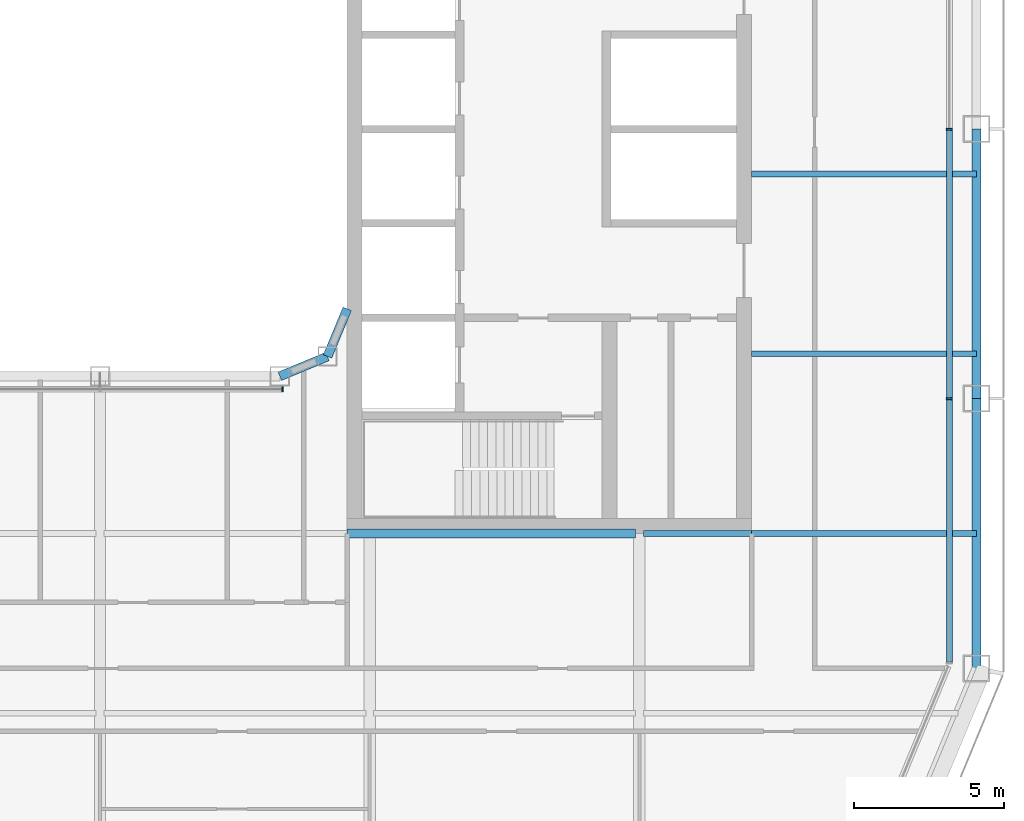
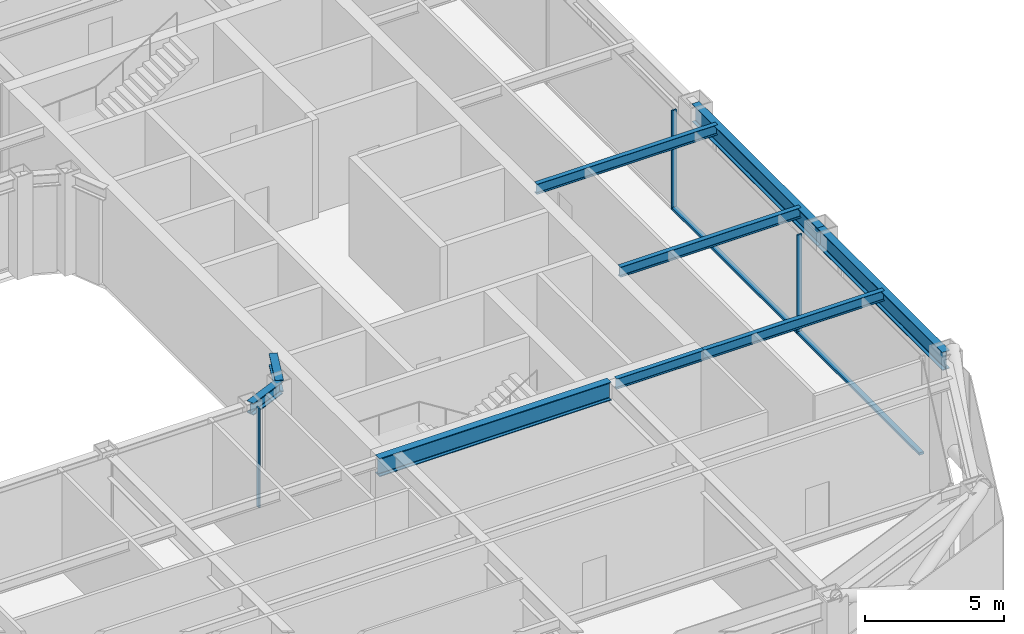
# One storey, part 5 of 21: 9 beams, 5 members, 2 elements without a shape of their own.
"""IFC4 building model written with IfcOpenShell, lengths in metres."""

from ifc_helpers import new_model, si_unit, direction, frame, origin, origin_2d, place, context, subcontext, project, spatial, rectangle, i_section, extrude, material, layer, layer_set, material_profile, profile_set, type_object, element, aggregate, save


model = new_model("IFC4")

# Units and contexts
model_context = context("Model", 3, precision=1e-05, world=origin(), true_north=direction((0.0, 1.0)))
body_context = subcontext(model_context, "Body", "Model", "MODEL_VIEW")
ifc_project = project(units=[si_unit("LENGTHUNIT", "METRE"), si_unit("AREAUNIT", "SQUARE_METRE"), si_unit("VOLUMEUNIT", "CUBIC_METRE"), si_unit("PLANEANGLEUNIT", "RADIAN"), si_unit("MASSUNIT", "GRAM", prefix="KILO")], contexts=[model_context])

# Site, building, storey
site_placement = place(None, origin())
site = spatial("IfcSite", under=ifc_project, at=site_placement, CompositionType="ELEMENT")
building_placement = place(site_placement, origin())
building = spatial("IfcBuilding", under=site, at=building_placement, Name="Siwar Civic Tower", CompositionType="ELEMENT")
storey_placement = place(building_placement, frame((0.0, 0.0, 158.699951171875)))
storey = spatial("IfcBuildingStorey", under=building, at=storey_placement, Name="L34", CompositionType="ELEMENT", Elevation=158.699951171875)

# Curtain wall, members
ifc_material_1 = material(Name="Aluminium and glass", Category="aluminium")
ifc_layer_1 = layer(ifc_material_1, 0.199951171875)
ifc_layer_set_1 = layer_set([ifc_layer_1], Name="Aluminium and glass")
curtain_wall_type_1 = type_object("IfcCurtainWallType", Name="ENV-CW-B", PredefinedType="NOTDEFINED", material=ifc_layer_set_1)
curtain_wall_1_placement = place(storey_placement, origin())
curtain_wall_1 = element("IfcCurtainWall", 1, at=curtain_wall_1_placement, inside=storey, type_object=curtain_wall_type_1, Name="Curtain wall B E", PredefinedType="NOTDEFINED")
ifc_material_2 = material(Name="Aluminium 6063-T6", Category="aluminium")
ifc_material_profile_1 = material_profile(ifc_material_2, rectangle(XDim=0.199951171875, YDim=0.06494140625, at=origin_2d()), Name="AL 200x65")
ifc_profile_set_1 = profile_set([ifc_material_profile_1], Name="Aluminium 6063-T6")
member_type_1 = type_object("IfcMemberType", Name="ENV-MULLION-B", PredefinedType="MULLION", material=ifc_profile_set_1)
member_1_placement = place(storey_placement, frame((28.35009765625, -9.0, 0.0), z_axis=(0.0, 0.0, 1.0), x_axis=(-1.0, 0.0, 0.0)))
member_1 = element("IfcMember", 2, at=member_1_placement, type_object=member_type_1, Name="Mullion B E 2", PredefinedType="MULLION", context=body_context, shape_type="SweptSolid", body=[
    extrude(rectangle(XDim=0.199951171875, YDim=0.06494140625, at=origin_2d()), origin(), (0.0, 0.0, 1.0), 4.35009765625),
])
member_2_placement = place(storey_placement, frame((28.35009765625, 0.0, 0.0), z_axis=(0.0, 0.0, 1.0), x_axis=(-1.0, 0.0, 0.0)))
member_2 = element("IfcMember", 3, at=member_2_placement, type_object=member_type_1, Name="Mullion B E 3", PredefinedType="MULLION", context=body_context, shape_type="SweptSolid", body=[
    extrude(rectangle(XDim=0.199951171875, YDim=0.06494140625, at=origin_2d()), origin(), (0.0, 0.0, 1.0), 4.35009765625),
])

# Curtain wall, member
ifc_material_3 = material(Name="Aluminium and glass", Category="aluminium")
ifc_layer_2 = layer(ifc_material_3, 0.179931640625)
ifc_layer_set_2 = layer_set([ifc_layer_2], Name="Aluminium and glass")
curtain_wall_type_2 = type_object("IfcCurtainWallType", Name="ENV-CW-W", PredefinedType="NOTDEFINED", material=ifc_layer_set_2)
curtain_wall_2_placement = place(storey_placement, origin())
curtain_wall_2 = element("IfcCurtainWall", 4, at=curtain_wall_2_placement, inside=storey, type_object=curtain_wall_type_2, Name="Curtain wall W WS", PredefinedType="NOTDEFINED")
ifc_material_4 = material(Name="Aluminium 6063-T6", Category="aluminium")
ifc_material_profile_2 = material_profile(ifc_material_4, rectangle(XDim=0.179931640625, YDim=0.06005859375, at=origin_2d()), Name="AL 180x60")
ifc_profile_set_2 = profile_set([ifc_material_profile_2], Name="Aluminium 6063-T6")
member_type_2 = type_object("IfcMemberType", Name="ENV-MULLION-W", PredefinedType="MULLION", material=ifc_profile_set_2)
member_3_placement = place(storey_placement, frame((6.08642578125, -8.68505859375, 0.0), z_axis=(0.0, 0.0, 1.0), x_axis=(0.0, 1.0, 0.0)))
member_3 = element("IfcMember", 5, at=member_3_placement, type_object=member_type_2, Name="Mullion W WS 3", PredefinedType="MULLION", context=body_context, shape_type="SweptSolid", body=[
    extrude(rectangle(XDim=0.179931640625, YDim=0.06005859375, at=origin_2d()), origin(), (0.0, 0.0, 1.0), 4.35009765625),
])
aggregate(curtain_wall_2, [member_3])

# Member
ifc_material_5 = material(Name="Aluminium 6063-T6", Category="aluminium")
ifc_material_profile_3 = material_profile(ifc_material_5, rectangle(XDim=0.199951171875, YDim=0.110107421875, at=origin_2d()), Name="AL 200x110")
ifc_profile_set_3 = profile_set([ifc_material_profile_3], Name="Aluminium 6063-T6")
member_type_3 = type_object("IfcMemberType", Name="ENV-TRANSOM-B", PredefinedType="USERDEFINED", material=ifc_profile_set_3)
member_4_placement = place(storey_placement, frame((28.35009765625, -17.78857421875, 0.054931640625), z_axis=(0.0, 1.0, 0.0), x_axis=(-1.0, 0.0, 0.0)))
member_4 = element("IfcMember", 6, at=member_4_placement, type_object=member_type_3, Name="Transom B E 1", ObjectType="TRANSOM", PredefinedType="USERDEFINED", context=body_context, shape_type="SweptSolid", body=[
    extrude(rectangle(XDim=0.199951171875, YDim=0.110107421875, at=origin_2d()), origin(), (0.0, 0.0, 1.0), 8.756103515625),
])

member_5_placement = place(storey_placement, frame((28.35009765625, -8.967529296875, 0.054931640625), z_axis=(0.0, 1.0, 0.0), x_axis=(-1.0, 0.0, 0.0)))
member_5 = element("IfcMember", 7, at=member_5_placement, type_object=member_type_3, Name="Transom B E 2", ObjectType="TRANSOM", PredefinedType="USERDEFINED", context=body_context, shape_type="SweptSolid", body=[
    extrude(rectangle(XDim=0.199951171875, YDim=0.110107421875, at=origin_2d()), origin(), (0.0, 0.0, 1.0), 8.93505859375),
])

aggregate(curtain_wall_1, [member_1, member_2, member_4, member_5])

# Beams
ifc_material_6 = material(Name="Steel S355", Category="steel")
ifc_material_profile_4 = material_profile(ifc_material_6, i_section(OverallWidth=0.18994140625, OverallDepth=0.449951171875, WebThickness=0.009521484375, FlangeThickness=0.0146484375, FilletRadius=0.02099609375, at=origin_2d()), Name="IPE450")
ifc_profile_set_4 = profile_set([ifc_material_profile_4], Name="Steel S355")
beam_type_1 = type_object("IfcBeamType", Name="STR-FB-IPE450", PredefinedType="JOIST", material=ifc_profile_set_4)
beam_1_placement = place(storey_placement, frame((18.1298828125, -13.5, 4.125), z_axis=(1.0, 0.0, 0.0), x_axis=(0.0, 1.0, 0.0)))
element("IfcBeam", 8, at=beam_1_placement, inside=storey, type_object=beam_type_1, Name="L34/bm/F019", PredefinedType="JOIST", context=body_context, shape_type="SweptSolid", body=[
    extrude(i_section(OverallWidth=0.18994140625, OverallDepth=0.449951171875, WebThickness=0.009521484375, FlangeThickness=0.0146484375, FilletRadius=0.02099609375, at=origin_2d()), origin(), (0.0, 0.0, 1.0), 3.6201171875),
])
for number, where, z_axis, x_axis, name in (
    (9, (21.75, -13.5, 4.125), (1.0, 0.0, 0.0), (0.0, 1.0, 0.0), "L34/bm/F020"),
    (10, (21.75, -7.5, 4.125), (1.0, 0.0, 0.0), (0.0, 1.0, 0.0), "L34/bm/F022"),
    (11, (21.75, -1.5, 4.125), (1.0, 0.0, 0.0), (0.0, 1.0, 0.0), "L34/bm/F024"),
):
    element("IfcBeam", number, at=place(storey_placement, frame(where, z_axis=z_axis, x_axis=x_axis)), inside=storey, type_object=beam_type_1, Name=name, PredefinedType="JOIST", context=body_context, shape_type="SweptSolid", body=[
        extrude(i_section(OverallWidth=0.18994140625, OverallDepth=0.449951171875, WebThickness=0.009521484375, FlangeThickness=0.0146484375, FilletRadius=0.02099609375, at=origin_2d()), origin(), (0.0, 0.0, 1.0), 7.5),
    ])
ifc_material_7 = material(Name="Steel S355", Category="steel")
ifc_material_profile_5 = material_profile(ifc_material_7, i_section(OverallWidth=0.300048828125, OverallDepth=0.800048828125, WebThickness=0.017578125, FlangeThickness=0.032958984375, FilletRadius=0.030029296875, at=origin_2d()), Name="HEB800")
ifc_profile_set_5 = profile_set([ifc_material_profile_5], Name="Steel S355")
beam_type_2 = type_object("IfcBeamType", Name="STR-PG-HEB800", PredefinedType="BEAM", material=ifc_profile_set_5)
beam_2_placement = place(storey_placement, frame((8.25, -13.5, 3.949951171875), z_axis=(1.0, 0.0, 0.0), x_axis=(0.0, 1.0, 0.0)))
element("IfcBeam", 12, at=beam_2_placement, inside=storey, type_object=beam_type_2, Name="L34/bm/F018", PredefinedType="BEAM", context=body_context, shape_type="SweptSolid", body=[
    extrude(i_section(OverallWidth=0.300048828125, OverallDepth=0.800048828125, WebThickness=0.017578125, FlangeThickness=0.032958984375, FilletRadius=0.030029296875, at=origin_2d()), origin(), (0.0, 0.0, 1.0), 9.6201171875),
])
ifc_material_8 = material(Name="Steel S355", Category="steel")
ifc_material_profile_6 = material_profile(ifc_material_8, i_section(OverallWidth=0.305908203125, OverallDepth=0.52392578125, WebThickness=0.02099609375, FlangeThickness=0.0400390625, FilletRadius=0.027099609375, at=origin_2d()), Name="HEM500")
ifc_profile_set_6 = profile_set([ifc_material_profile_6], Name="Steel S355")
beam_type_3 = type_object("IfcBeamType", Name="STR-RB-HEM500", PredefinedType="BEAM", material=ifc_profile_set_6)
for number, where, z_axis, x_axis, name in (
    (13, (6.0, -8.25, 4.088134765625), (0.923901072997, 0.382631424892, 0.0), (-0.382631424892, 0.923901072997, 0.0), "L34/bm/RS3"),
    (14, (7.591064453125, -7.591064453125, 4.088134765625), (0.382631424892, 0.923901072997, 0.0), (-0.923901072997, 0.382631424892, 0.0), "L34/bm/RSEE"),
):
    element("IfcBeam", number, at=place(storey_placement, frame(where, z_axis=z_axis, x_axis=x_axis)), inside=storey, type_object=beam_type_3, Name=name, PredefinedType="BEAM", context=body_context, shape_type="SweptSolid", body=[
        extrude(i_section(OverallWidth=0.305908203125, OverallDepth=0.52392578125, WebThickness=0.02099609375, FlangeThickness=0.0400390625, FilletRadius=0.027099609375, at=origin_2d()), origin(), (0.0, 0.0, 1.0), 1.72216796875),
    ])
ifc_material_9 = material(Name="Steel S355", Category="steel")
ifc_material_profile_7 = material_profile(ifc_material_9, i_section(OverallWidth=0.300048828125, OverallDepth=0.800048828125, WebThickness=0.017578125, FlangeThickness=0.032958984375, FilletRadius=0.030029296875, at=origin_2d()), Name="HEB800")
ifc_profile_set_7 = profile_set([ifc_material_profile_7], Name="Steel S355")
beam_type_4 = type_object("IfcBeamType", Name="STR-SB-HEB800", PredefinedType="BEAM", material=ifc_profile_set_7)
for number, where, z_axis, x_axis, name in (
    (15, (29.25, -18.0, 3.949951171875), (0.0, 1.0, 0.0), (-1.0, 0.0, 0.0), "L34/bm/SE-0"),
    (16, (29.25, -9.0, 3.949951171875), (0.0, 1.0, 0.0), (-1.0, 0.0, 0.0), "L34/bm/SE-1"),
):
    element("IfcBeam", number, at=place(storey_placement, frame(where, z_axis=z_axis, x_axis=x_axis)), inside=storey, type_object=beam_type_4, Name=name, PredefinedType="BEAM", context=body_context, shape_type="SweptSolid", body=[
        extrude(i_section(OverallWidth=0.300048828125, OverallDepth=0.800048828125, WebThickness=0.017578125, FlangeThickness=0.032958984375, FilletRadius=0.030029296875, at=origin_2d()), origin(), (0.0, 0.0, 1.0), 9.0),
    ])

save(model, "model.ifc")
